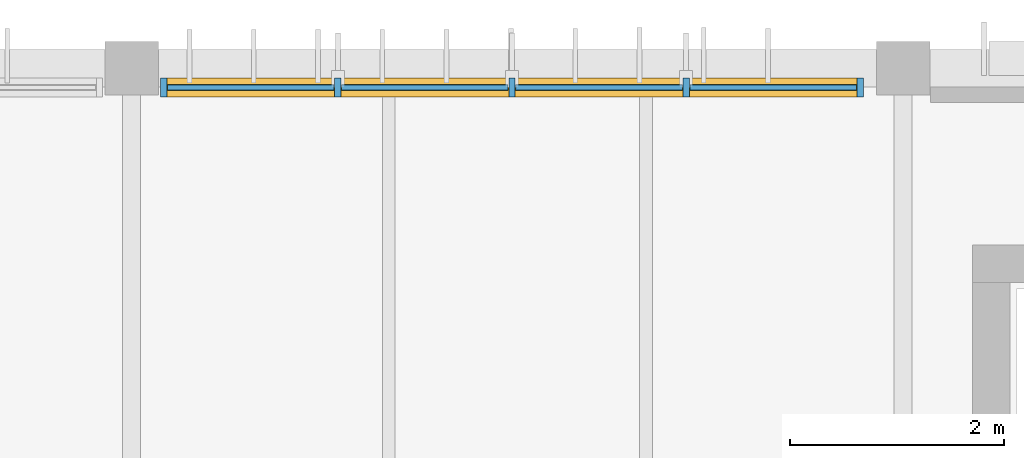
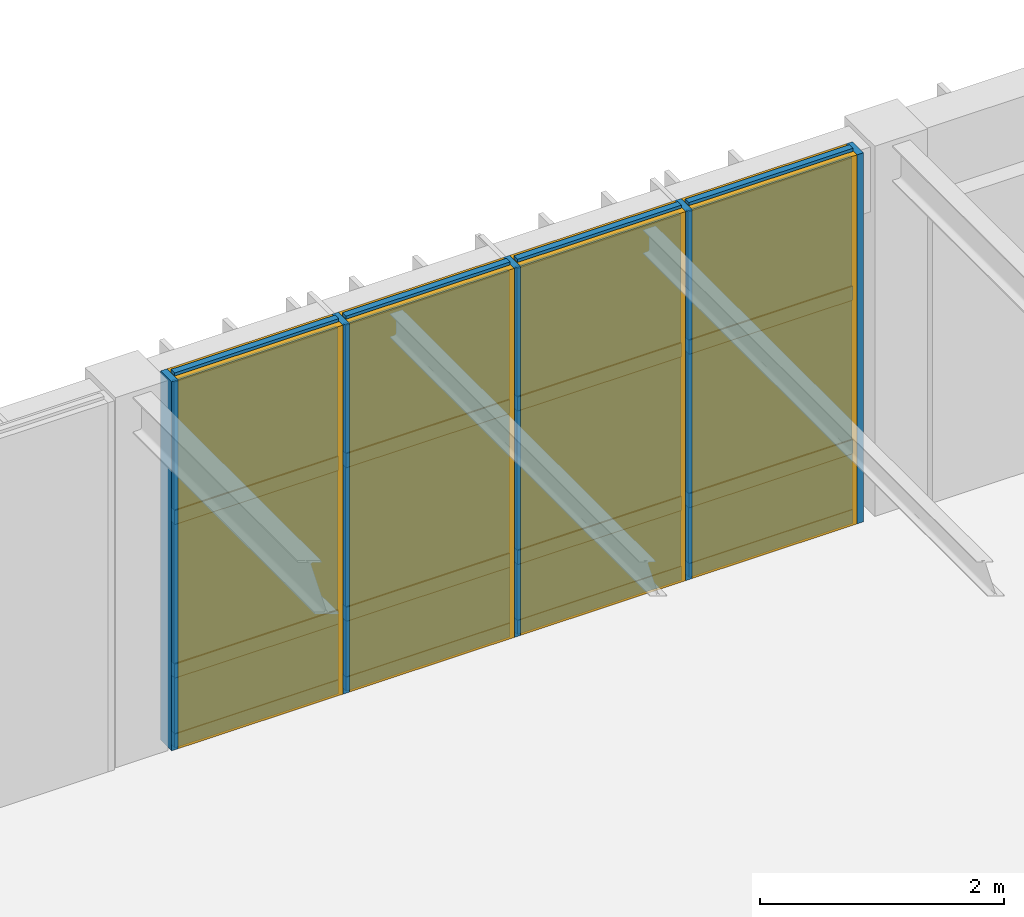
# One storey, part 35 of 44: 21 members, 12 plates, 1 curtain wall.
"""IFC4 building model written with IfcOpenShell, lengths in metres."""

from ifc_helpers import new_model, si_unit, direction, frame, frame_2d, origin, origin_2d, place, context, subcontext, project, spatial, rectangle, extrude, material, layer, layer_set, material_profile, profile_set, type_object, element, aggregate, save


model = new_model("IFC4")

# Units and contexts
model_context = context("Model", 3, precision=1e-05, world=origin(), true_north=direction((0.0, 1.0)))
body_context = subcontext(model_context, "Body", "Model", "MODEL_VIEW")
ifc_project = project(units=[si_unit("LENGTHUNIT", "METRE"), si_unit("AREAUNIT", "SQUARE_METRE"), si_unit("VOLUMEUNIT", "CUBIC_METRE"), si_unit("PLANEANGLEUNIT", "RADIAN"), si_unit("MASSUNIT", "GRAM", prefix="KILO")], contexts=[model_context])

# Member
ifc_material_1 = material(Name="Anodised Bronze Aluminium 6063-T6", Category="aluminium")
ifc_material_profile_1 = material_profile(ifc_material_1, rectangle(XDim=0.06005859375, YDim=0.179931640625, at=origin_2d()), Name="ALU MULLION 60x180")
ifc_profile_set_1 = profile_set([ifc_material_profile_1], Name="Anodised Bronze Aluminium 6063-T6")
member_type_1 = type_object("IfcMemberType", Name="Curtain-Wall Primary Mullion 60x180", PredefinedType="MULLION", material=ifc_profile_set_1)
site_placement = place(None, origin())
building_placement = place(site_placement, origin())
storey_placement = place(building_placement, frame((0.0, 0.0, 13.199951171875)))
member_1_placement = place(storey_placement, frame((110.10009765625, 111.6201171875, 0.0), z_axis=(0.0, 0.0, 1.0), x_axis=(1.0, 0.0, 0.0)))
member_1 = element("IfcMember", 1, at=member_1_placement, type_object=member_type_1, Name="Mullion CWM-01 CW-V3-N1-L03-B2-M01", PredefinedType="MULLION", context=body_context, shape_type="SweptSolid", body=[
    extrude(rectangle(XDim=0.06005859375, YDim=0.179931640625, at=origin_2d()), origin(), (0.0, 0.0, 1.0), 3.699951171875),
])

member_2_placement = place(storey_placement, frame((111.72509765625, 111.6201171875, 0.0), z_axis=(0.0, 0.0, 1.0), x_axis=(1.0, 0.0, 0.0)))
member_2 = element("IfcMember", 2, at=member_2_placement, type_object=member_type_1, Name="Mullion CWM-01 CW-V3-N1-L03-B2-M02", PredefinedType="MULLION", context=body_context, shape_type="SweptSolid", body=[
    extrude(rectangle(XDim=0.06005859375, YDim=0.179931640625, at=origin_2d()), origin(), (0.0, 0.0, 1.0), 3.699951171875),
])

member_3_placement = place(storey_placement, frame((113.35009765625, 111.6201171875, 0.0), z_axis=(0.0, 0.0, 1.0), x_axis=(1.0, 0.0, 0.0)))
member_3 = element("IfcMember", 3, at=member_3_placement, type_object=member_type_1, Name="Mullion CWM-01 CW-V3-N1-L03-B2-M03", PredefinedType="MULLION", context=body_context, shape_type="SweptSolid", body=[
    extrude(rectangle(XDim=0.06005859375, YDim=0.179931640625, at=origin_2d()), origin(), (0.0, 0.0, 1.0), 3.699951171875),
])

member_4_placement = place(storey_placement, frame((114.97509765625, 111.6201171875, 0.0), z_axis=(0.0, 0.0, 1.0), x_axis=(1.0, 0.0, 0.0)))
member_4 = element("IfcMember", 4, at=member_4_placement, type_object=member_type_1, Name="Mullion CWM-01 CW-V3-N1-L03-B2-M04", PredefinedType="MULLION", context=body_context, shape_type="SweptSolid", body=[
    extrude(rectangle(XDim=0.06005859375, YDim=0.179931640625, at=origin_2d()), origin(), (0.0, 0.0, 1.0), 3.699951171875),
])

member_5_placement = place(storey_placement, frame((116.60009765625, 111.6201171875, 0.0), z_axis=(0.0, 0.0, 1.0), x_axis=(1.0, 0.0, 0.0)))
member_5 = element("IfcMember", 5, at=member_5_placement, type_object=member_type_1, Name="Mullion CWM-01 CW-V3-N1-L03-B2-M05", PredefinedType="MULLION", context=body_context, shape_type="SweptSolid", body=[
    extrude(rectangle(XDim=0.06005859375, YDim=0.179931640625, at=origin_2d()), origin(), (0.0, 0.0, 1.0), 3.699951171875),
])

ifc_material_profile_2 = material_profile(ifc_material_1, rectangle(XDim=0.06005859375, YDim=0.139892578125, at=origin_2d()), Name="ALU TRANSOM 60x140")
ifc_profile_set_2 = profile_set([ifc_material_profile_2], Name="Anodised Bronze Aluminium 6063-T6")
member_type_2 = type_object("IfcMemberType", Name="Curtain-Wall Transom 60x140", PredefinedType="USERDEFINED", material=ifc_profile_set_2)
member_6_placement = place(storey_placement, frame((110.135009765625, 111.6201171875, 0.0400390625), z_axis=(1.0, 0.0, 0.0), x_axis=(0.0, 1.0, 0.0)))
member_6 = element("IfcMember", 6, at=member_6_placement, type_object=member_type_2, Name="Transom CWT-01 CW-V3-N1-L03-B2-T01.1", ObjectType="TRANSOM", PredefinedType="USERDEFINED", context=body_context, shape_type="SweptSolid", body=[
    extrude(rectangle(XDim=0.06005859375, YDim=0.139892578125, at=origin_2d()), origin(), (0.0, 0.0, 1.0), 1.554931640625),
])

member_7_placement = place(storey_placement, frame((110.135009765625, 111.6201171875, 0.739990234375), z_axis=(1.0, 0.0, 0.0), x_axis=(0.0, 1.0, 0.0)))
member_7 = element("IfcMember", 7, at=member_7_placement, type_object=member_type_2, Name="Transom CWT-01 CW-V3-N1-L03-B2-T01.2", ObjectType="TRANSOM", PredefinedType="USERDEFINED", context=body_context, shape_type="SweptSolid", body=[
    extrude(rectangle(XDim=0.06005859375, YDim=0.139892578125, at=origin_2d()), origin(), (0.0, 0.0, 1.0), 1.554931640625),
])

member_8_placement = place(storey_placement, frame((110.135009765625, 111.6201171875, 2.279296875), z_axis=(1.0, 0.0, 0.0), x_axis=(0.0, 1.0, 0.0)))
member_8 = element("IfcMember", 8, at=member_8_placement, type_object=member_type_2, Name="Transom CWT-01 CW-V3-N1-L03-B2-T01.3", ObjectType="TRANSOM", PredefinedType="USERDEFINED", context=body_context, shape_type="SweptSolid", body=[
    extrude(rectangle(XDim=0.06005859375, YDim=0.139892578125, at=origin_2d()), origin(), (0.0, 0.0, 1.0), 1.554931640625),
])

member_9_placement = place(storey_placement, frame((110.135009765625, 111.6201171875, 3.66015625), z_axis=(1.0, 0.0, 0.0), x_axis=(0.0, 1.0, 0.0)))
member_9 = element("IfcMember", 9, at=member_9_placement, type_object=member_type_2, Name="Transom CWT-01 CW-V3-N1-L03-B2-T01.4", ObjectType="TRANSOM", PredefinedType="USERDEFINED", context=body_context, shape_type="SweptSolid", body=[
    extrude(rectangle(XDim=0.06005859375, YDim=0.139892578125, at=origin_2d()), origin(), (0.0, 0.0, 1.0), 1.554931640625),
])

member_10_placement = place(storey_placement, frame((111.760009765625, 111.6201171875, 0.0400390625), z_axis=(1.0, 0.0, 0.0), x_axis=(0.0, 1.0, 0.0)))
member_10 = element("IfcMember", 10, at=member_10_placement, type_object=member_type_2, Name="Transom CWT-01 CW-V3-N1-L03-B2-T02.1", ObjectType="TRANSOM", PredefinedType="USERDEFINED", context=body_context, shape_type="SweptSolid", body=[
    extrude(rectangle(XDim=0.06005859375, YDim=0.139892578125, at=origin_2d()), origin(), (0.0, 0.0, 1.0), 1.554931640625),
])

member_11_placement = place(storey_placement, frame((111.760009765625, 111.6201171875, 0.739990234375), z_axis=(1.0, 0.0, 0.0), x_axis=(0.0, 1.0, 0.0)))
member_11 = element("IfcMember", 11, at=member_11_placement, type_object=member_type_2, Name="Transom CWT-01 CW-V3-N1-L03-B2-T02.2", ObjectType="TRANSOM", PredefinedType="USERDEFINED", context=body_context, shape_type="SweptSolid", body=[
    extrude(rectangle(XDim=0.06005859375, YDim=0.139892578125, at=origin_2d()), origin(), (0.0, 0.0, 1.0), 1.554931640625),
])

member_12_placement = place(storey_placement, frame((111.760009765625, 111.6201171875, 2.279296875), z_axis=(1.0, 0.0, 0.0), x_axis=(0.0, 1.0, 0.0)))
member_12 = element("IfcMember", 12, at=member_12_placement, type_object=member_type_2, Name="Transom CWT-01 CW-V3-N1-L03-B2-T02.3", ObjectType="TRANSOM", PredefinedType="USERDEFINED", context=body_context, shape_type="SweptSolid", body=[
    extrude(rectangle(XDim=0.06005859375, YDim=0.139892578125, at=origin_2d()), origin(), (0.0, 0.0, 1.0), 1.554931640625),
])

member_13_placement = place(storey_placement, frame((111.760009765625, 111.6201171875, 3.66015625), z_axis=(1.0, 0.0, 0.0), x_axis=(0.0, 1.0, 0.0)))
member_13 = element("IfcMember", 13, at=member_13_placement, type_object=member_type_2, Name="Transom CWT-01 CW-V3-N1-L03-B2-T02.4", ObjectType="TRANSOM", PredefinedType="USERDEFINED", context=body_context, shape_type="SweptSolid", body=[
    extrude(rectangle(XDim=0.06005859375, YDim=0.139892578125, at=origin_2d()), origin(), (0.0, 0.0, 1.0), 1.554931640625),
])

member_14_placement = place(storey_placement, frame((113.385009765625, 111.6201171875, 0.0400390625), z_axis=(1.0, 0.0, 0.0), x_axis=(0.0, 1.0, 0.0)))
member_14 = element("IfcMember", 14, at=member_14_placement, type_object=member_type_2, Name="Transom CWT-01 CW-V3-N1-L03-B2-T03.1", ObjectType="TRANSOM", PredefinedType="USERDEFINED", context=body_context, shape_type="SweptSolid", body=[
    extrude(rectangle(XDim=0.06005859375, YDim=0.139892578125, at=origin_2d()), origin(), (0.0, 0.0, 1.0), 1.554931640625),
])

member_15_placement = place(storey_placement, frame((113.385009765625, 111.6201171875, 0.739990234375), z_axis=(1.0, 0.0, 0.0), x_axis=(0.0, 1.0, 0.0)))
member_15 = element("IfcMember", 15, at=member_15_placement, type_object=member_type_2, Name="Transom CWT-01 CW-V3-N1-L03-B2-T03.2", ObjectType="TRANSOM", PredefinedType="USERDEFINED", context=body_context, shape_type="SweptSolid", body=[
    extrude(rectangle(XDim=0.06005859375, YDim=0.139892578125, at=origin_2d()), origin(), (0.0, 0.0, 1.0), 1.554931640625),
])

member_16_placement = place(storey_placement, frame((113.385009765625, 111.6201171875, 2.279296875), z_axis=(1.0, 0.0, 0.0), x_axis=(0.0, 1.0, 0.0)))
member_16 = element("IfcMember", 16, at=member_16_placement, type_object=member_type_2, Name="Transom CWT-01 CW-V3-N1-L03-B2-T03.3", ObjectType="TRANSOM", PredefinedType="USERDEFINED", context=body_context, shape_type="SweptSolid", body=[
    extrude(rectangle(XDim=0.06005859375, YDim=0.139892578125, at=origin_2d()), origin(), (0.0, 0.0, 1.0), 1.554931640625),
])

member_17_placement = place(storey_placement, frame((113.385009765625, 111.6201171875, 3.66015625), z_axis=(1.0, 0.0, 0.0), x_axis=(0.0, 1.0, 0.0)))
member_17 = element("IfcMember", 17, at=member_17_placement, type_object=member_type_2, Name="Transom CWT-01 CW-V3-N1-L03-B2-T03.4", ObjectType="TRANSOM", PredefinedType="USERDEFINED", context=body_context, shape_type="SweptSolid", body=[
    extrude(rectangle(XDim=0.06005859375, YDim=0.139892578125, at=origin_2d()), origin(), (0.0, 0.0, 1.0), 1.554931640625),
])

member_18_placement = place(storey_placement, frame((115.010009765625, 111.6201171875, 0.0400390625), z_axis=(1.0, 0.0, 0.0), x_axis=(0.0, 1.0, 0.0)))
member_18 = element("IfcMember", 18, at=member_18_placement, type_object=member_type_2, Name="Transom CWT-01 CW-V3-N1-L03-B2-T04.1", ObjectType="TRANSOM", PredefinedType="USERDEFINED", context=body_context, shape_type="SweptSolid", body=[
    extrude(rectangle(XDim=0.06005859375, YDim=0.139892578125, at=origin_2d()), origin(), (0.0, 0.0, 1.0), 1.554931640625),
])

member_19_placement = place(storey_placement, frame((115.010009765625, 111.6201171875, 0.739990234375), z_axis=(1.0, 0.0, 0.0), x_axis=(0.0, 1.0, 0.0)))
member_19 = element("IfcMember", 19, at=member_19_placement, type_object=member_type_2, Name="Transom CWT-01 CW-V3-N1-L03-B2-T04.2", ObjectType="TRANSOM", PredefinedType="USERDEFINED", context=body_context, shape_type="SweptSolid", body=[
    extrude(rectangle(XDim=0.06005859375, YDim=0.139892578125, at=origin_2d()), origin(), (0.0, 0.0, 1.0), 1.554931640625),
])

member_20_placement = place(storey_placement, frame((115.010009765625, 111.6201171875, 2.279296875), z_axis=(1.0, 0.0, 0.0), x_axis=(0.0, 1.0, 0.0)))
member_20 = element("IfcMember", 20, at=member_20_placement, type_object=member_type_2, Name="Transom CWT-01 CW-V3-N1-L03-B2-T04.3", ObjectType="TRANSOM", PredefinedType="USERDEFINED", context=body_context, shape_type="SweptSolid", body=[
    extrude(rectangle(XDim=0.06005859375, YDim=0.139892578125, at=origin_2d()), origin(), (0.0, 0.0, 1.0), 1.554931640625),
])

member_21_placement = place(storey_placement, frame((115.010009765625, 111.6201171875, 3.66015625), z_axis=(1.0, 0.0, 0.0), x_axis=(0.0, 1.0, 0.0)))
member_21 = element("IfcMember", 21, at=member_21_placement, type_object=member_type_2, Name="Transom CWT-01 CW-V3-N1-L03-B2-T04.4", ObjectType="TRANSOM", PredefinedType="USERDEFINED", context=body_context, shape_type="SweptSolid", body=[
    extrude(rectangle(XDim=0.06005859375, YDim=0.139892578125, at=origin_2d()), origin(), (0.0, 0.0, 1.0), 1.554931640625),
])

# Plate
ifc_material_2 = material(Name="Insulated Bronze Aluminium Spandrel Panel", Category="aluminium")
ifc_layer_1 = layer(ifc_material_2, 0.050048828125, Name="Insulated Bronze Aluminium Spandrel Panel")
ifc_layer_set_1 = layer_set([ifc_layer_1], Name="Insulated Bronze Aluminium Spandrel Panel")
plate_type_1 = type_object("IfcPlateType", Name="Insulated Anodised Aluminium Spandrel Cassette 50", PredefinedType="CURTAIN_PANEL", material=ifc_layer_set_1)
plate_1_placement = place(storey_placement, frame((110.91259765625, 111.6201171875, 0.0703125), z_axis=(0.0, 0.0, 1.0), x_axis=(1.0, 0.0, 0.0)))
plate_1 = element("IfcPlate", 22, at=plate_1_placement, type_object=plate_type_1, Name="Curtain Panel CWP-03 CW-V3-N1-L03-B2-P01.1", PredefinedType="CURTAIN_PANEL", context=body_context, shape_type="SweptSolid", body=[
    extrude(rectangle(XDim=1.554931640625, YDim=0.050048828125, at=origin_2d()), origin(), (0.0, 0.0, 1.0), 0.639892578125),
])

plate_2_placement = place(storey_placement, frame((112.53759765625, 111.6201171875, 0.0703125), z_axis=(0.0, 0.0, 1.0), x_axis=(1.0, 0.0, 0.0)))
plate_2 = element("IfcPlate", 23, at=plate_2_placement, type_object=plate_type_1, Name="Curtain Panel CWP-03 CW-V3-N1-L03-B2-P02.1", PredefinedType="CURTAIN_PANEL", context=body_context, shape_type="SweptSolid", body=[
    extrude(rectangle(XDim=1.554931640625, YDim=0.050048828125, at=origin_2d()), origin(), (0.0, 0.0, 1.0), 0.639892578125),
])

plate_3_placement = place(storey_placement, frame((114.16259765625, 111.6201171875, 0.0703125), z_axis=(0.0, 0.0, 1.0), x_axis=(1.0, 0.0, 0.0)))
plate_3 = element("IfcPlate", 24, at=plate_3_placement, type_object=plate_type_1, Name="Curtain Panel CWP-03 CW-V3-N1-L03-B2-P03.1", PredefinedType="CURTAIN_PANEL", context=body_context, shape_type="SweptSolid", body=[
    extrude(rectangle(XDim=1.554931640625, YDim=0.050048828125, at=origin_2d()), origin(), (0.0, 0.0, 1.0), 0.639892578125),
])

plate_4_placement = place(storey_placement, frame((115.78759765625, 111.6201171875, 0.0703125), z_axis=(0.0, 0.0, 1.0), x_axis=(1.0, 0.0, 0.0)))
plate_4 = element("IfcPlate", 25, at=plate_4_placement, type_object=plate_type_1, Name="Curtain Panel CWP-03 CW-V3-N1-L03-B2-P04.1", PredefinedType="CURTAIN_PANEL", context=body_context, shape_type="SweptSolid", body=[
    extrude(rectangle(XDim=1.554931640625, YDim=0.050048828125, at=origin_2d()), origin(), (0.0, 0.0, 1.0), 0.639892578125),
])

ifc_material_3 = material(Name="Solar-Control Tempered Double Glazing", Category="glass")
ifc_layer_2 = layer(ifc_material_3, 0.0380859375, Name="Solar-Control Tempered Double Glazing")
ifc_layer_set_2 = layer_set([ifc_layer_2], Name="Solar-Control Tempered Double Glazing")
plate_type_2 = type_object("IfcPlateType", Name="Solar-Control Vision Glazing Unit 38", PredefinedType="CURTAIN_PANEL", material=ifc_layer_set_2)
plate_5_placement = place(storey_placement, frame((110.91259765625, 111.6201171875, 0.77001953125), z_axis=(0.0, 0.0, 1.0), x_axis=(1.0, 0.0, 0.0)))
plate_5 = element("IfcPlate", 26, at=plate_5_placement, type_object=plate_type_2, Name="Curtain Panel CWP-02 CW-V3-N1-L03-B2-P01.2", PredefinedType="CURTAIN_PANEL", context=body_context, shape_type="SweptSolid", body=[
    extrude(rectangle(XDim=1.554931640625, YDim=0.0380859375, at=origin_2d()), origin(), (0.0, 0.0, 1.0), 1.479248046875),
])

plate_6_placement = place(storey_placement, frame((110.91259765625, 111.6201171875, 2.309326171875), z_axis=(0.0, 0.0, 1.0), x_axis=(1.0, 0.0, 0.0)))
plate_6 = element("IfcPlate", 27, at=plate_6_placement, type_object=plate_type_2, Name="Curtain Panel CWP-02 CW-V3-N1-L03-B2-P01.3", PredefinedType="CURTAIN_PANEL", context=body_context, shape_type="SweptSolid", body=[
    extrude(rectangle(XDim=1.554931640625, YDim=0.0380859375, at=origin_2d()), origin(), (0.0, 0.0, 1.0), 1.32080078125),
])

plate_7_placement = place(storey_placement, frame((112.53759765625, 111.6201171875, 0.77001953125), z_axis=(0.0, 0.0, 1.0), x_axis=(1.0, 0.0, 0.0)))
plate_7 = element("IfcPlate", 28, at=plate_7_placement, type_object=plate_type_2, Name="Curtain Panel CWP-02 CW-V3-N1-L03-B2-P02.2", PredefinedType="CURTAIN_PANEL", context=body_context, shape_type="SweptSolid", body=[
    extrude(rectangle(XDim=1.554931640625, YDim=0.0380859375, at=origin_2d()), origin(), (0.0, 0.0, 1.0), 1.479248046875),
])

plate_8_placement = place(storey_placement, frame((112.53759765625, 111.6201171875, 2.309326171875), z_axis=(0.0, 0.0, 1.0), x_axis=(1.0, 0.0, 0.0)))
plate_8 = element("IfcPlate", 29, at=plate_8_placement, type_object=plate_type_2, Name="Curtain Panel CWP-02 CW-V3-N1-L03-B2-P02.3", PredefinedType="CURTAIN_PANEL", context=body_context, shape_type="SweptSolid", body=[
    extrude(rectangle(XDim=1.554931640625, YDim=0.0380859375, at=origin_2d()), origin(), (0.0, 0.0, 1.0), 1.32080078125),
])

plate_9_placement = place(storey_placement, frame((114.16259765625, 111.6201171875, 0.77001953125), z_axis=(0.0, 0.0, 1.0), x_axis=(1.0, 0.0, 0.0)))
plate_9 = element("IfcPlate", 30, at=plate_9_placement, type_object=plate_type_2, Name="Curtain Panel CWP-02 CW-V3-N1-L03-B2-P03.2", PredefinedType="CURTAIN_PANEL", context=body_context, shape_type="SweptSolid", body=[
    extrude(rectangle(XDim=1.554931640625, YDim=0.0380859375, at=origin_2d()), origin(), (0.0, 0.0, 1.0), 1.479248046875),
])

plate_10_placement = place(storey_placement, frame((114.16259765625, 111.6201171875, 2.309326171875), z_axis=(0.0, 0.0, 1.0), x_axis=(1.0, 0.0, 0.0)))
plate_10 = element("IfcPlate", 31, at=plate_10_placement, type_object=plate_type_2, Name="Curtain Panel CWP-02 CW-V3-N1-L03-B2-P03.3", PredefinedType="CURTAIN_PANEL", context=body_context, shape_type="SweptSolid", body=[
    extrude(rectangle(XDim=1.554931640625, YDim=0.0380859375, at=origin_2d()), origin(), (0.0, 0.0, 1.0), 1.32080078125),
])

plate_11_placement = place(storey_placement, frame((115.78759765625, 111.6201171875, 0.77001953125), z_axis=(0.0, 0.0, 1.0), x_axis=(1.0, 0.0, 0.0)))
plate_11 = element("IfcPlate", 32, at=plate_11_placement, type_object=plate_type_2, Name="Curtain Panel CWP-02 CW-V3-N1-L03-B2-P04.2", PredefinedType="CURTAIN_PANEL", context=body_context, shape_type="SweptSolid", body=[
    extrude(rectangle(XDim=1.554931640625, YDim=0.0380859375, at=origin_2d()), origin(), (0.0, 0.0, 1.0), 1.479248046875),
])

plate_12_placement = place(storey_placement, frame((115.78759765625, 111.6201171875, 2.309326171875), z_axis=(0.0, 0.0, 1.0), x_axis=(1.0, 0.0, 0.0)))
plate_12 = element("IfcPlate", 33, at=plate_12_placement, type_object=plate_type_2, Name="Curtain Panel CWP-02 CW-V3-N1-L03-B2-P04.3", PredefinedType="CURTAIN_PANEL", context=body_context, shape_type="SweptSolid", body=[
    extrude(rectangle(XDim=1.554931640625, YDim=0.0380859375, at=origin_2d()), origin(), (0.0, 0.0, 1.0), 1.32080078125),
])

# Site, building, storey
site = spatial("IfcSite", under=ifc_project, at=site_placement, CompositionType="ELEMENT")
building = spatial("IfcBuilding", under=site, at=building_placement, Name="Tazoul Stagehouse", CompositionType="ELEMENT")
storey = spatial("IfcBuildingStorey", under=building, at=storey_placement, Name="L03", CompositionType="ELEMENT", Elevation=13.199951171875)

# Curtain wall
curtain_wall_type = type_object("IfcCurtainWallType", Name="Rehearsal North Daylight Curtain Wall", PredefinedType="NOTDEFINED", material=ifc_material_1)
curtain_wall_placement = place(storey_placement, frame((110.10009765625, 111.6201171875, 0.0), z_axis=(0.0, 0.0, 1.0), x_axis=(1.0, 0.0, 0.0)))
curtain_wall = element("IfcCurtainWall", 34, at=curtain_wall_placement, inside=storey, type_object=curtain_wall_type, Name="L03 Curtain Wall CW-04 (CW-V3-N1-L03-B2)", PredefinedType="NOTDEFINED", context=body_context, shape_type="SweptSolid", body=[
    extrude(rectangle(XDim=6.5, YDim=0.179931640625, at=frame_2d((3.25, 0.0))), origin(), (0.0, 0.0, 1.0), 3.699951171875),
])

aggregate(curtain_wall, [member_1, member_2, member_3, member_4, member_5, member_6, member_7, member_8, member_9, plate_1, plate_5, plate_6, member_10, member_11, member_12, member_13, plate_2, plate_7, plate_8, member_14, member_15, member_16, member_17, plate_3, plate_9, plate_10, member_18, member_19, member_20, member_21, plate_4, plate_11, plate_12])

save(model, "model.ifc")
